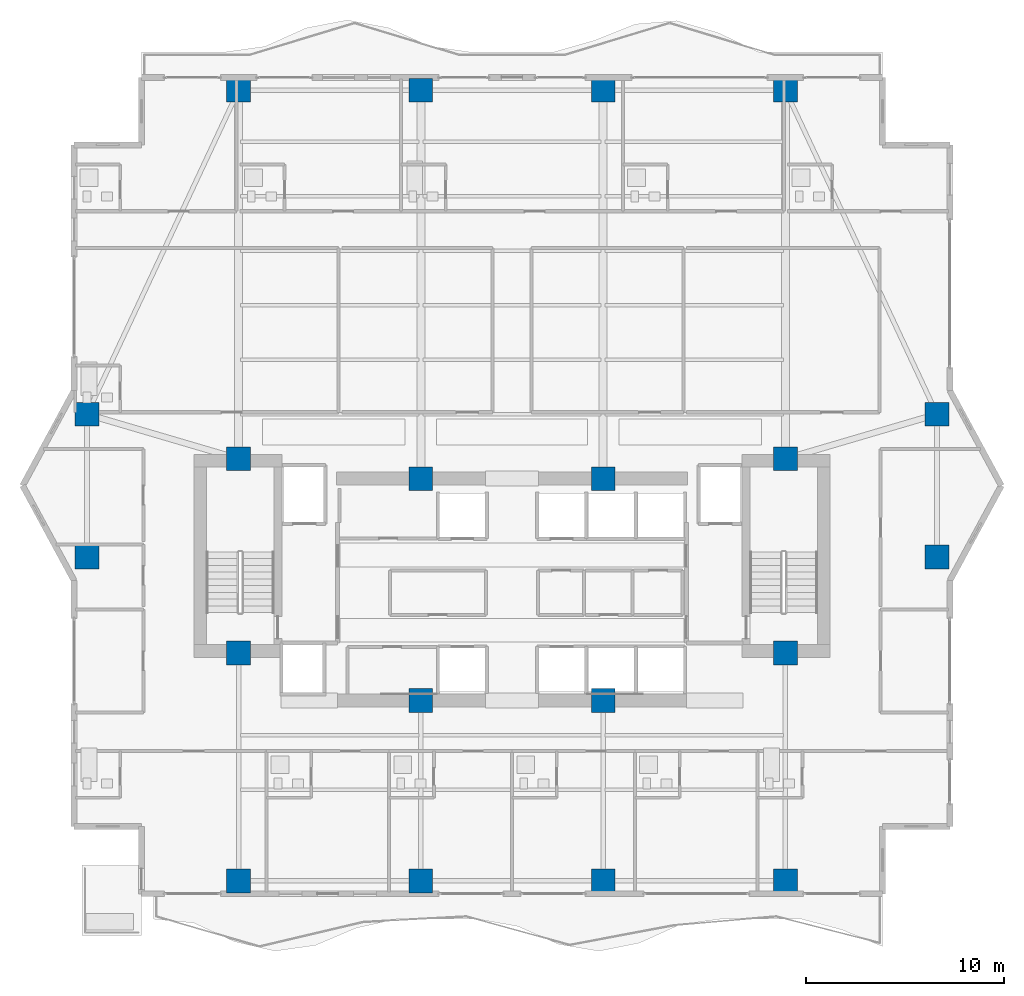
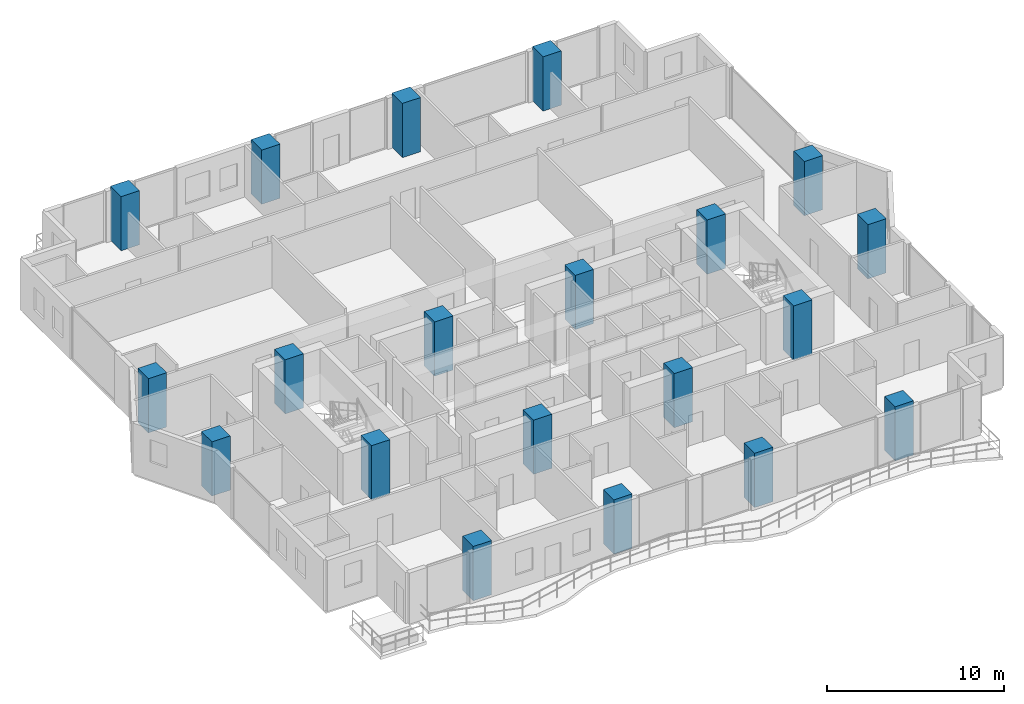
# One storey, part 1 of 32: 20 columns.
"""IFC4 building model written with IfcOpenShell, lengths in metres."""

from ifc_helpers import new_model, si_unit, direction, frame, origin, origin_2d, place, context, subcontext, project, spatial, rectangle, extrude, material, material_profile, profile_set, type_object, element, save


model = new_model("IFC4")

# Units and contexts
model_context = context("Model", 3, precision=1e-05, world=origin(), true_north=direction((0.0, 1.0)))
body_context = subcontext(model_context, "Body", "Model", "MODEL_VIEW")
ifc_project = project(units=[si_unit("LENGTHUNIT", "METRE"), si_unit("AREAUNIT", "SQUARE_METRE"), si_unit("VOLUMEUNIT", "CUBIC_METRE"), si_unit("PLANEANGLEUNIT", "RADIAN"), si_unit("MASSUNIT", "GRAM", prefix="KILO")], contexts=[model_context])

# Site, building, storey
site_placement = place(None, origin())
site = spatial("IfcSite", under=ifc_project, at=site_placement, CompositionType="ELEMENT")
building_placement = place(site_placement, origin())
building = spatial("IfcBuilding", under=site, at=building_placement, Name="Zuhayl Quay Hotel", CompositionType="ELEMENT")
storey_placement = place(building_placement, frame((0.0, 0.0, 192.39990234375)))
storey = spatial("IfcBuildingStorey", under=building, at=storey_placement, Name="L48", CompositionType="ELEMENT", Elevation=192.39990234375)

# Columns
ifc_material = material(Name="Concrete C60/75", Category="concrete")
ifc_material_profile_1 = material_profile(ifc_material, rectangle(XDim=1.199951171875, YDim=1.199951171875, at=origin_2d()), Name="RC1200X1200")
ifc_profile_set_1 = profile_set([ifc_material_profile_1], Name="Concrete C60/75")
column_type_1 = type_object("IfcColumnType", Name="CL_CC2_1200", PredefinedType="COLUMN", material=ifc_profile_set_1)
for number, where, z_axis, x_axis, name in (
    (1, (-13.800048828125, 14.35009765625, 0.0), (0.0, 0.0, 1.0), (1.0, 0.0, 0.0), "L48 Core Column CC_NW"),
    (2, (-4.60009765625, 13.35009765625, 0.0), (0.0, 0.0, 1.0), (1.0, 0.0, 0.0), "L48 Core Column CC_CNW"),
    (3, (4.60009765625, 13.35009765625, 0.0), (0.0, 0.0, 1.0), (1.0, 0.0, 0.0), "L48 Core Column CC_CNE"),
    (4, (13.800048828125, 14.35009765625, 0.0), (0.0, 0.0, 1.0), (1.0, 0.0, 0.0), "L48 Core Column CC_NE"),
    (5, (-13.800048828125, 4.550048828125, 0.0), (0.0, 0.0, 1.0), (1.0, 0.0, 0.0), "L48 Core Column CC_SW"),
    (6, (-4.60009765625, 2.14990234375, 0.0), (0.0, 0.0, 1.0), (1.0, 0.0, 0.0), "L48 Core Column CC_CSW"),
    (7, (4.60009765625, 2.14990234375, 0.0), (0.0, 0.0, 1.0), (1.0, 0.0, 0.0), "L48 Core Column CC_CSE"),
    (8, (13.800048828125, 4.550048828125, 0.0), (0.0, 0.0, 1.0), (1.0, 0.0, 0.0), "L48 Core Column CC_SE"),
):
    element("IfcColumn", number, at=place(storey_placement, frame(where, z_axis=z_axis, x_axis=x_axis)), inside=storey, type_object=column_type_1, Name=name, PredefinedType="COLUMN", context=body_context, shape_type="SweptSolid", body=[
        extrude(rectangle(XDim=1.199951171875, YDim=1.199951171875, at=origin_2d()), origin(), (0.0, 0.0, 1.0), 3.75),
    ])
ifc_material_profile_2 = material_profile(ifc_material, rectangle(XDim=1.199951171875, YDim=1.199951171875, at=origin_2d()), Name="RC1200X1200")
ifc_profile_set_2 = profile_set([ifc_material_profile_2], Name="Concrete C60/75")
column_type_2 = type_object("IfcColumnType", Name="CL_MC3_1200", PredefinedType="COLUMN", material=ifc_profile_set_2)
for number, where, z_axis, x_axis, name in (
    (9, (-13.800048828125, -6.949951171875, 0.0), (0.0, 0.0, 1.0), (1.0, 0.0, 0.0), "L48 Mega-Column MC_S1"),
    (10, (-4.60009765625, -6.949951171875, 0.0), (0.0, 0.0, 1.0), (1.0, 0.0, 0.0), "L48 Mega-Column MC_S2"),
    (11, (4.60009765625, -6.949951171875, 0.0), (0.0, 0.0, 1.0), (1.0, 0.0, 0.0), "L48 Mega-Column MC_S3"),
    (12, (13.800048828125, -6.949951171875, 0.0), (0.0, 0.0, 1.0), (1.0, 0.0, 0.0), "L48 Mega-Column MC_S4"),
    (13, (-13.800048828125, 32.949951171875, 0.0), (0.0, 0.0, 1.0), (1.0, 0.0, 0.0), "L48 Mega-Column MC_N1"),
    (14, (-4.60009765625, 32.949951171875, 0.0), (0.0, 0.0, 1.0), (1.0, 0.0, 0.0), "L48 Mega-Column MC_N2"),
    (15, (4.60009765625, 32.949951171875, 0.0), (0.0, 0.0, 1.0), (1.0, 0.0, 0.0), "L48 Mega-Column MC_N3"),
    (16, (13.800048828125, 32.949951171875, 0.0), (0.0, 0.0, 1.0), (1.0, 0.0, 0.0), "L48 Mega-Column MC_N4"),
    (17, (-21.449951171875, 9.39990234375, 0.0), (0.0, 0.0, 1.0), (1.0, 0.0, 0.0), "L48 Mega-Column MC_W1"),
    (18, (-21.449951171875, 16.60009765625, 0.0), (0.0, 0.0, 1.0), (1.0, 0.0, 0.0), "L48 Mega-Column MC_W2"),
    (19, (21.449951171875, 9.39990234375, 0.0), (0.0, 0.0, 1.0), (1.0, 0.0, 0.0), "L48 Mega-Column MC_E1"),
    (20, (21.449951171875, 16.60009765625, 0.0), (0.0, 0.0, 1.0), (1.0, 0.0, 0.0), "L48 Mega-Column MC_E2"),
):
    element("IfcColumn", number, at=place(storey_placement, frame(where, z_axis=z_axis, x_axis=x_axis)), inside=storey, type_object=column_type_2, Name=name, PredefinedType="COLUMN", context=body_context, shape_type="SweptSolid", body=[
        extrude(rectangle(XDim=1.199951171875, YDim=1.199951171875, at=origin_2d()), origin(), (0.0, 0.0, 1.0), 3.75),
    ])

save(model, "model.ifc")
